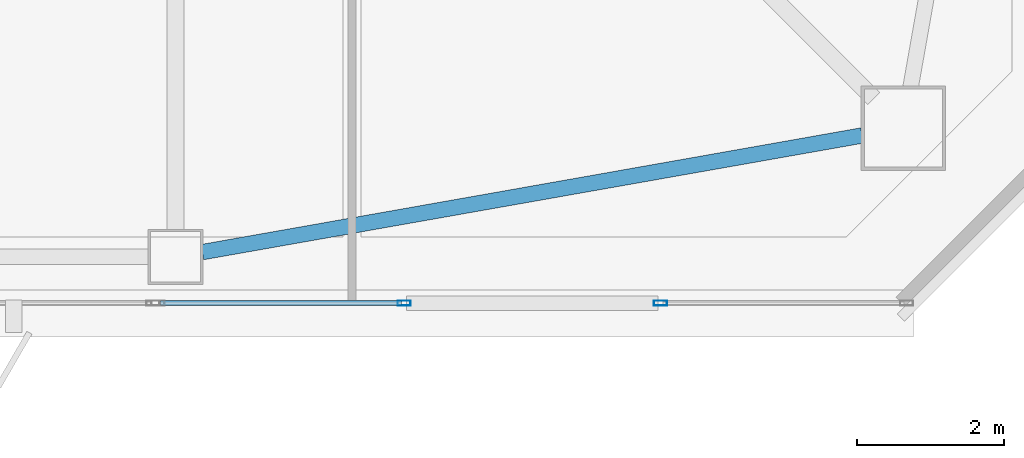
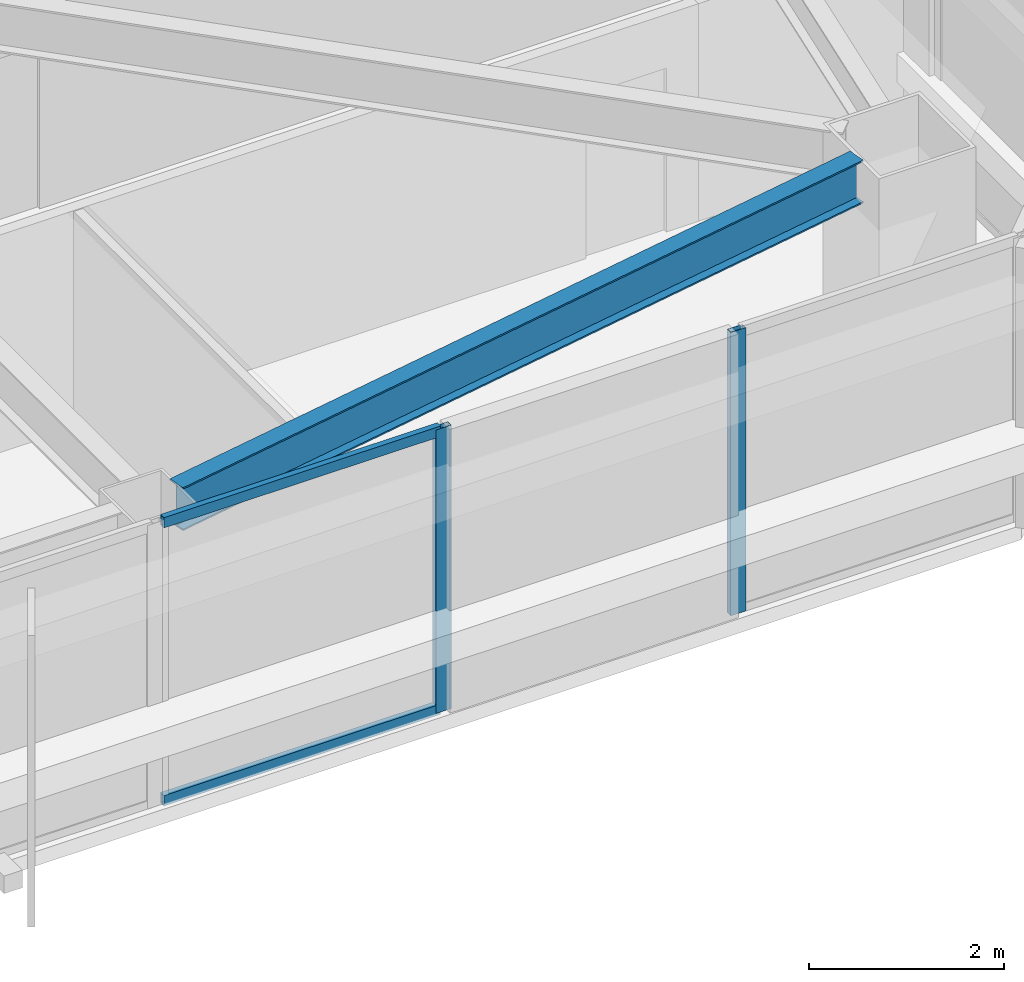
# One storey, part 6 of 46: 4 members, 1 beam, 2 elements without a shape of their own.
"""IFC4 building model written with IfcOpenShell, lengths in metres."""

from ifc_helpers import new_model, si_unit, direction, frame, origin, origin_2d, place, context, subcontext, project, spatial, hollow_rectangle, i_section, extrude, material, material_profile, profile_set, type_object, element, aggregate, save


model = new_model("IFC4")

# Units and contexts
model_context = context("Model", 3, precision=1e-05, world=origin(), true_north=direction((0.0, 1.0)))
body_context = subcontext(model_context, "Body", "Model", "MODEL_VIEW")
ifc_project = project(units=[si_unit("LENGTHUNIT", "METRE"), si_unit("AREAUNIT", "SQUARE_METRE"), si_unit("VOLUMEUNIT", "CUBIC_METRE"), si_unit("PLANEANGLEUNIT", "RADIAN"), si_unit("MASSUNIT", "GRAM", prefix="KILO")], contexts=[model_context])

# Site, building, storey
site_placement = place(None, origin())
site = spatial("IfcSite", under=ifc_project, at=site_placement, CompositionType="ELEMENT")
building_placement = place(site_placement, origin())
building = spatial("IfcBuilding", under=site, at=building_placement, Name="Tashvorn Skyway Center", CompositionType="ELEMENT")
storey_placement = place(building_placement, frame((0.0, 0.0, 167.64990234375)))
storey = spatial("IfcBuildingStorey", under=building, at=storey_placement, Name="L45", CompositionType="ELEMENT", Elevation=167.64990234375)

# Beam
ifc_material_1 = material(Name="Steel ASTM A992 Grade 50", Category="steel")
ifc_material_profile_1 = material_profile(ifc_material_1, i_section(OverallWidth=0.2109375, OverallDepth=0.5390625, WebThickness=0.01171875, FlangeThickness=0.018798828125, at=origin_2d()), Name="W21X73")
ifc_profile_set_1 = profile_set([ifc_material_profile_1], Name="Steel ASTM A992 Grade 50")
beam_type = type_object("IfcBeamType", Name="BM-SPANDREL-W21X73", PredefinedType="SPANDREL", material=ifc_profile_set_1)
beam_placement = place(storey_placement, frame((47.764404296875, 15.014404296875, 3.1005859375), z_axis=(0.984732545667, 0.174074160933, 0.0), x_axis=(-0.174074160933, 0.984732545667, 0.0)))
element("IfcBeam", 1, at=beam_placement, inside=storey, type_object=beam_type, Name="Tower 1 L45 Spandrel Beam 03", PredefinedType="SPANDREL", context=body_context, shape_type="SweptSolid", body=[
    extrude(i_section(OverallWidth=0.2109375, OverallDepth=0.5390625, WebThickness=0.01171875, FlangeThickness=0.018798828125, at=origin_2d()), origin(), (0.0, 0.0, 1.0), 9.113525390625),
])

# Curtain wall, member
ifc_material_2 = material(Name="Thermally broken bronze-anodized aluminium 6063-T6", Category="aluminium")
curtain_wall_type = type_object("IfcCurtainWallType", Name="CW-CW-Z4", PredefinedType="NOTDEFINED", material=ifc_material_2)
curtain_wall_1_placement = place(storey_placement, origin())
curtain_wall_1 = element("IfcCurtainWall", 2, at=curtain_wall_1_placement, inside=storey, type_object=curtain_wall_type, Name="Tower 1 L45 South Unitised Curtain Wall Glazing Group 1", PredefinedType="NOTDEFINED")
ifc_material_profile_2 = material_profile(ifc_material_2, hollow_rectangle(XDim=0.070068359375, YDim=0.179931640625, WallThickness=0.00390625, at=origin_2d()), Name="ALU-MULL-70x180")
ifc_profile_set_2 = profile_set([ifc_material_profile_2], Name="Thermally broken bronze-anodized aluminium 6063-T6")
member_type_1 = type_object("IfcMemberType", Name="CWM-CW-Z4", PredefinedType="MULLION", material=ifc_profile_set_2)
member_1_placement = place(storey_placement, frame((53.997314453125, 14.320068359375, 0.0), z_axis=(0.0, 0.0, 1.0), x_axis=(0.0, -1.0, 0.0)))
member_1 = element("IfcMember", 3, at=member_1_placement, type_object=member_type_1, Name="CW-Z4 mullion 2", PredefinedType="MULLION", context=body_context, shape_type="SweptSolid", body=[
    extrude(hollow_rectangle(XDim=0.070068359375, YDim=0.179931640625, WallThickness=0.00390625, at=origin_2d()), origin(), (0.0, 0.0, 1.0), 3.550048828125),
])
aggregate(curtain_wall_1, [member_1])

# Curtain wall, members
curtain_wall_2_placement = place(storey_placement, origin())
curtain_wall_2 = element("IfcCurtainWall", 4, at=curtain_wall_2_placement, inside=storey, type_object=curtain_wall_type, Name="Tower 1 L45 South Unitised Curtain Wall Glazing Group 2", PredefinedType="NOTDEFINED")
member_2_placement = place(storey_placement, frame((50.509521484375, 14.320068359375, 0.0), z_axis=(0.0, 0.0, 1.0), x_axis=(0.0, -1.0, 0.0)))
member_2 = element("IfcMember", 5, at=member_2_placement, type_object=member_type_1, Name="CW-Z4 mullion 1", PredefinedType="MULLION", context=body_context, shape_type="SweptSolid", body=[
    extrude(hollow_rectangle(XDim=0.070068359375, YDim=0.179931640625, WallThickness=0.00390625, at=origin_2d()), origin(), (0.0, 0.0, 1.0), 3.550048828125),
])
ifc_material_profile_3 = material_profile(ifc_material_2, hollow_rectangle(XDim=0.070068359375, YDim=0.1298828125, WallThickness=0.00390625, at=origin_2d()), Name="ALU-TRAN-70x130")
ifc_profile_set_3 = profile_set([ifc_material_profile_3], Name="Thermally broken bronze-anodized aluminium 6063-T6")
member_type_2 = type_object("IfcMemberType", Name="CWT-CW-Z4", PredefinedType="USERDEFINED", material=ifc_profile_set_3)
member_3_placement = place(storey_placement, frame((50.474365234375, 14.320068359375, 0.03515625), z_axis=(-1.0, 0.0, 0.0), x_axis=(0.0, -1.0, 0.0)))
member_3 = element("IfcMember", 6, at=member_3_placement, type_object=member_type_2, Name="CW-Z4 transom 1.1", ObjectType="TRANSOM", PredefinedType="USERDEFINED", context=body_context, shape_type="SweptSolid", body=[
    extrude(hollow_rectangle(XDim=0.070068359375, YDim=0.1298828125, WallThickness=0.00390625, at=origin_2d()), origin(), (0.0, 0.0, 1.0), 3.277587890625),
])
member_4_placement = place(storey_placement, frame((50.474365234375, 14.320068359375, 3.51513671875), z_axis=(-1.0, 0.0, 0.0), x_axis=(0.0, -1.0, 0.0)))
member_4 = element("IfcMember", 7, at=member_4_placement, type_object=member_type_2, Name="CW-Z4 transom 1.2", ObjectType="TRANSOM", PredefinedType="USERDEFINED", context=body_context, shape_type="SweptSolid", body=[
    extrude(hollow_rectangle(XDim=0.070068359375, YDim=0.1298828125, WallThickness=0.00390625, at=origin_2d()), origin(), (0.0, 0.0, 1.0), 3.277587890625),
])
aggregate(curtain_wall_2, [member_2, member_3, member_4])

save(model, "model.ifc")
